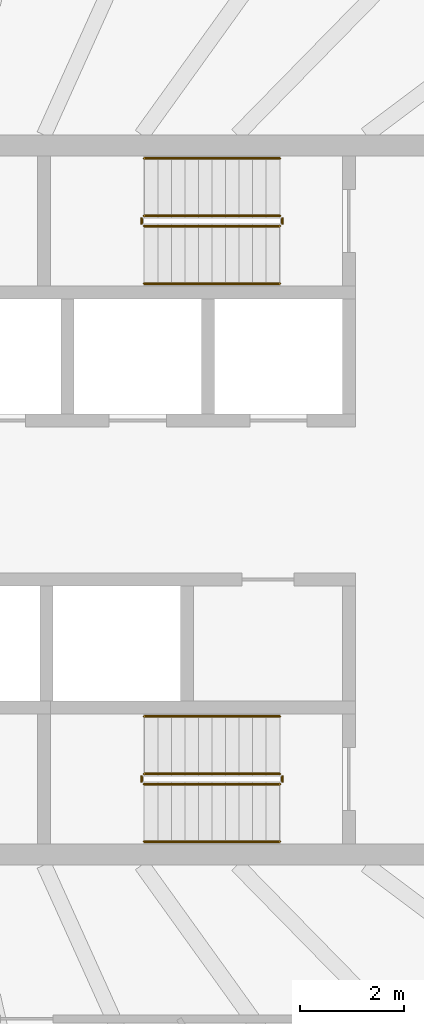
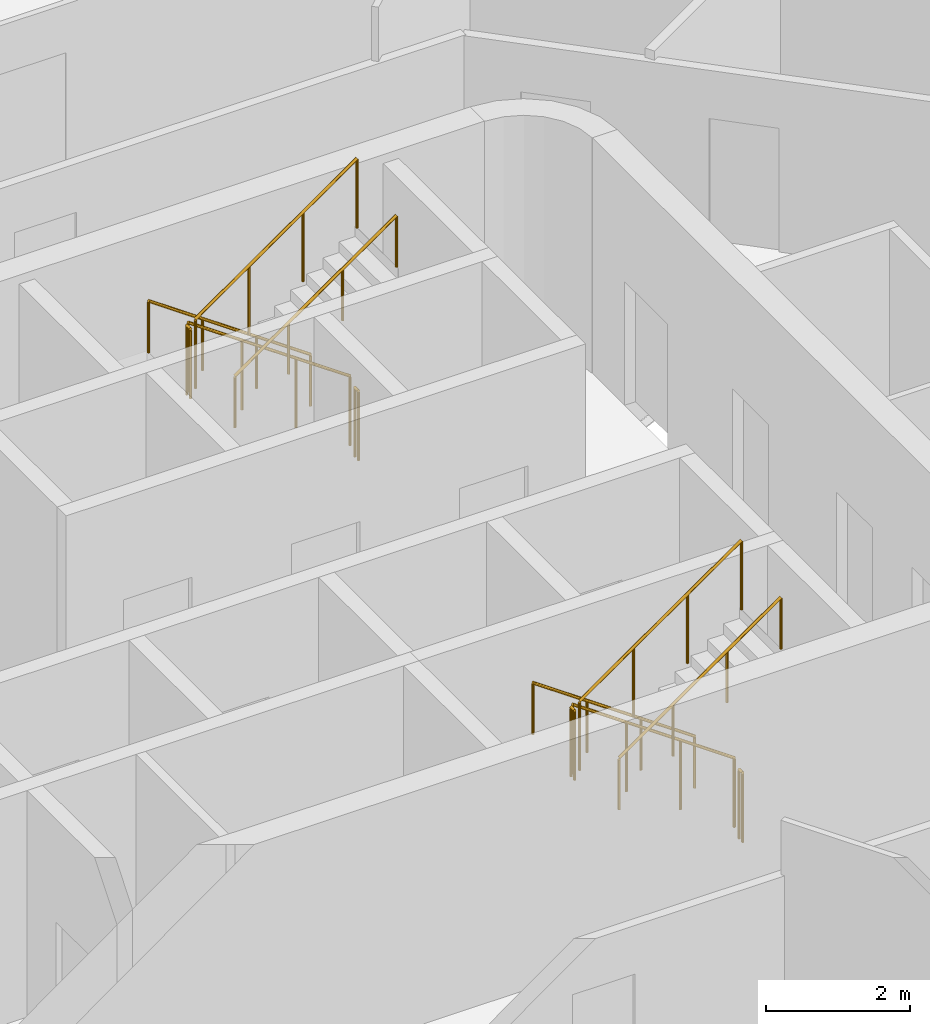
# One storey, part 19 of 21: 12 railings.
"""IFC4 building model written with IfcOpenShell, lengths in metres."""

from ifc_helpers import new_model, si_unit, direction, frame, origin, origin_2d, place, context, subcontext, project, spatial, circle, extrude, material, type_object, element, save


model = new_model("IFC4")

# Units and contexts
model_context = context("Model", 3, precision=1e-05, world=origin(), true_north=direction((0.0, 1.0)))
body_context = subcontext(model_context, "Body", "Model", "MODEL_VIEW")
ifc_project = project(units=[si_unit("LENGTHUNIT", "METRE"), si_unit("AREAUNIT", "SQUARE_METRE"), si_unit("VOLUMEUNIT", "CUBIC_METRE"), si_unit("PLANEANGLEUNIT", "RADIAN"), si_unit("MASSUNIT", "GRAM", prefix="KILO")], contexts=[model_context])

# Site, building, storey
site_placement = place(None, origin())
site = spatial("IfcSite", under=ifc_project, at=site_placement, CompositionType="ELEMENT")
building_placement = place(site_placement, origin())
building = spatial("IfcBuilding", under=site, at=building_placement, Name="Sahrelin Media Tower", CompositionType="ELEMENT")
storey_placement = place(building_placement, frame((0.0, 0.0, 259.0)))
storey = spatial("IfcBuildingStorey", under=building, at=storey_placement, Name="L56", CompositionType="ELEMENT", Elevation=259.0)

# Railings
ifc_material = material(Name="Steel S355", Category="steel")
railing_type_1 = type_object("IfcRailingType", Name="Stair guard 1200", PredefinedType="GUARDRAIL", material=ifc_material)
railing_1_placement = place(storey_placement, frame((7.675048828125, 5.449951171875, 0.181884765625)))
element("IfcRailing", 1, at=railing_1_placement, inside=storey, type_object=railing_type_1, Name="L56 ST3 stair guard 1", PredefinedType="GUARDRAIL", context=body_context, shape_type="SweptSolid", body=[
    extrude(circle(Radius=0.02392578125, at=origin_2d()), frame((0.0, 0.0, 1.17578125), z_axis=(-0.819521025635, 0.0, 0.573049115296), x_axis=(0.0, -1.0, 0.0)), (0.0, 0.0, 1.0), 3.172607421875),
    extrude(circle(Radius=0.02099609375, at=origin_2d()), origin(), (0.0, 0.0, 1.0), 1.15185546875),
    extrude(circle(Radius=0.02099609375, at=origin_2d()), frame((-0.86669921875, 0.0, 0.60595703125)), (0.0, 0.0, 1.0), 1.15185546875),
    extrude(circle(Radius=0.02099609375, at=origin_2d()), frame((-1.7333984375, 0.0, 1.212158203125)), (0.0, 0.0, 1.0), 1.15185546875),
    extrude(circle(Radius=0.02099609375, at=origin_2d()), frame((-2.60009765625, 0.0, 1.818115234375)), (0.0, 0.0, 1.0), 1.15185546875),
])
railing_2_placement = place(storey_placement, frame((5.02490234375, 5.39990234375, 2.0)))
element("IfcRailing", 2, at=railing_2_placement, inside=storey, type_object=railing_type_1, Name="L56 ST3 stair guard 2", PredefinedType="GUARDRAIL", context=body_context, shape_type="SweptSolid", body=[
    extrude(circle(Radius=0.02392578125, at=origin_2d()), frame((0.0, 0.0, 1.17578125), z_axis=(0.0, -1.0, 0.0), x_axis=(1.0, 0.0, 0.0)), (0.0, 0.0, 1.0), 0.099853515625),
    extrude(circle(Radius=0.02099609375, at=origin_2d()), origin(), (0.0, 0.0, 1.0), 1.15185546875),
    extrude(circle(Radius=0.02099609375, at=origin_2d()), frame((0.0, -0.099853515625, 0.0)), (0.0, 0.0, 1.0), 1.15185546875),
])
railing_3_placement = place(storey_placement, frame((5.074951171875, 5.25, 2.181884765625)))
element("IfcRailing", 3, at=railing_3_placement, inside=storey, type_object=railing_type_1, Name="L56 ST3 stair guard 3", PredefinedType="GUARDRAIL", context=body_context, shape_type="SweptSolid", body=[
    extrude(circle(Radius=0.02392578125, at=origin_2d()), frame((0.0, 0.0, 1.17578125), z_axis=(0.819521025635, 0.0, 0.573049115296), x_axis=(0.0, 1.0, 0.0)), (0.0, 0.0, 1.0), 3.172607421875),
    extrude(circle(Radius=0.02099609375, at=origin_2d()), origin(), (0.0, 0.0, 1.0), 1.15185546875),
    extrude(circle(Radius=0.02099609375, at=origin_2d()), frame((0.86669921875, 0.0, 0.60595703125)), (0.0, 0.0, 1.0), 1.15185546875),
    extrude(circle(Radius=0.02099609375, at=origin_2d()), frame((1.7333984375, 0.0, 1.212158203125)), (0.0, 0.0, 1.0), 1.15185546875),
    extrude(circle(Radius=0.02099609375, at=origin_2d()), frame((2.60009765625, 0.0, 1.818115234375)), (0.0, 0.0, 1.0), 1.15185546875),
])
railing_4_placement = place(storey_placement, frame((7.72509765625, 5.39990234375, 0.0)))
element("IfcRailing", 4, at=railing_4_placement, inside=storey, type_object=railing_type_1, Name="L56 ST3 stair guard 4", PredefinedType="GUARDRAIL", context=body_context, shape_type="SweptSolid", body=[
    extrude(circle(Radius=0.02392578125, at=origin_2d()), frame((0.0, 0.0, 1.17578125), z_axis=(0.0, -1.0, 0.0), x_axis=(1.0, 0.0, 0.0)), (0.0, 0.0, 1.0), 0.099853515625),
    extrude(circle(Radius=0.02099609375, at=origin_2d()), origin(), (0.0, 0.0, 1.0), 1.15185546875),
    extrude(circle(Radius=0.02099609375, at=origin_2d()), frame((0.0, -0.099853515625, 0.0)), (0.0, 0.0, 1.0), 1.15185546875),
])
railing_5_placement = place(storey_placement, frame((7.675048828125, -5.25, 0.181884765625)))
element("IfcRailing", 5, at=railing_5_placement, inside=storey, type_object=railing_type_1, Name="L56 ST2 stair guard 1", PredefinedType="GUARDRAIL", context=body_context, shape_type="SweptSolid", body=[
    extrude(circle(Radius=0.02392578125, at=origin_2d()), frame((0.0, 0.0, 1.17578125), z_axis=(-0.819521025635, 0.0, 0.573049115296), x_axis=(0.0, -1.0, 0.0)), (0.0, 0.0, 1.0), 3.172607421875),
    extrude(circle(Radius=0.02099609375, at=origin_2d()), origin(), (0.0, 0.0, 1.0), 1.15185546875),
    extrude(circle(Radius=0.02099609375, at=origin_2d()), frame((-0.86669921875, 0.0, 0.60595703125)), (0.0, 0.0, 1.0), 1.15185546875),
    extrude(circle(Radius=0.02099609375, at=origin_2d()), frame((-1.7333984375, 0.0, 1.212158203125)), (0.0, 0.0, 1.0), 1.15185546875),
    extrude(circle(Radius=0.02099609375, at=origin_2d()), frame((-2.60009765625, 0.0, 1.818115234375)), (0.0, 0.0, 1.0), 1.15185546875),
])
railing_6_placement = place(storey_placement, frame((5.02490234375, -5.300048828125, 2.0)))
element("IfcRailing", 6, at=railing_6_placement, inside=storey, type_object=railing_type_1, Name="L56 ST2 stair guard 2", PredefinedType="GUARDRAIL", context=body_context, shape_type="SweptSolid", body=[
    extrude(circle(Radius=0.02392578125, at=origin_2d()), frame((0.0, 0.0, 1.17578125), z_axis=(0.0, -1.0, 0.0), x_axis=(1.0, 0.0, 0.0)), (0.0, 0.0, 1.0), 0.099853515625),
    extrude(circle(Radius=0.02099609375, at=origin_2d()), origin(), (0.0, 0.0, 1.0), 1.15185546875),
    extrude(circle(Radius=0.02099609375, at=origin_2d()), frame((0.0, -0.099853515625, 0.0)), (0.0, 0.0, 1.0), 1.15185546875),
])
railing_7_placement = place(storey_placement, frame((5.074951171875, -5.449951171875, 2.181884765625)))
element("IfcRailing", 7, at=railing_7_placement, inside=storey, type_object=railing_type_1, Name="L56 ST2 stair guard 3", PredefinedType="GUARDRAIL", context=body_context, shape_type="SweptSolid", body=[
    extrude(circle(Radius=0.02392578125, at=origin_2d()), frame((0.0, 0.0, 1.17578125), z_axis=(0.819521025635, 0.0, 0.573049115296), x_axis=(0.0, 1.0, 0.0)), (0.0, 0.0, 1.0), 3.172607421875),
    extrude(circle(Radius=0.02099609375, at=origin_2d()), origin(), (0.0, 0.0, 1.0), 1.15185546875),
    extrude(circle(Radius=0.02099609375, at=origin_2d()), frame((0.86669921875, 0.0, 0.60595703125)), (0.0, 0.0, 1.0), 1.15185546875),
    extrude(circle(Radius=0.02099609375, at=origin_2d()), frame((1.7333984375, 0.0, 1.212158203125)), (0.0, 0.0, 1.0), 1.15185546875),
    extrude(circle(Radius=0.02099609375, at=origin_2d()), frame((2.60009765625, 0.0, 1.818115234375)), (0.0, 0.0, 1.0), 1.15185546875),
])
railing_8_placement = place(storey_placement, frame((7.72509765625, -5.300048828125, 0.0)))
element("IfcRailing", 8, at=railing_8_placement, inside=storey, type_object=railing_type_1, Name="L56 ST2 stair guard 4", PredefinedType="GUARDRAIL", context=body_context, shape_type="SweptSolid", body=[
    extrude(circle(Radius=0.02392578125, at=origin_2d()), frame((0.0, 0.0, 1.17578125), z_axis=(0.0, -1.0, 0.0), x_axis=(1.0, 0.0, 0.0)), (0.0, 0.0, 1.0), 0.099853515625),
    extrude(circle(Radius=0.02099609375, at=origin_2d()), origin(), (0.0, 0.0, 1.0), 1.15185546875),
    extrude(circle(Radius=0.02099609375, at=origin_2d()), frame((0.0, -0.099853515625, 0.0)), (0.0, 0.0, 1.0), 1.15185546875),
])
railing_type_2 = type_object("IfcRailingType", Name="Stair handrail 900", PredefinedType="HANDRAIL", material=ifc_material)
railing_9_placement = place(storey_placement, frame((7.675048828125, 6.550048828125, 0.181884765625)))
element("IfcRailing", 9, at=railing_9_placement, inside=storey, type_object=railing_type_2, Name="L56 ST3 stair handrail 1", PredefinedType="HANDRAIL", context=body_context, shape_type="SweptSolid", body=[
    extrude(circle(Radius=0.02392578125, at=origin_2d()), frame((0.0, 0.0, 0.8759765625), z_axis=(-0.819521025635, 0.0, 0.573049115296), x_axis=(0.0, -1.0, 0.0)), (0.0, 0.0, 1.0), 3.172607421875),
    extrude(circle(Radius=0.02099609375, at=origin_2d()), origin(), (0.0, 0.0, 1.0), 0.851806640625),
    extrude(circle(Radius=0.02099609375, at=origin_2d()), frame((-0.86669921875, 0.0, 0.60595703125)), (0.0, 0.0, 1.0), 0.851806640625),
    extrude(circle(Radius=0.02099609375, at=origin_2d()), frame((-1.7333984375, 0.0, 1.212158203125)), (0.0, 0.0, 1.0), 0.851806640625),
    extrude(circle(Radius=0.02099609375, at=origin_2d()), frame((-2.60009765625, 0.0, 1.818115234375)), (0.0, 0.0, 1.0), 0.851806640625),
])
railing_10_placement = place(storey_placement, frame((5.074951171875, 4.14990234375, 2.181884765625)))
element("IfcRailing", 10, at=railing_10_placement, inside=storey, type_object=railing_type_2, Name="L56 ST3 stair handrail 2", PredefinedType="HANDRAIL", context=body_context, shape_type="SweptSolid", body=[
    extrude(circle(Radius=0.02392578125, at=origin_2d()), frame((0.0, 0.0, 0.8759765625), z_axis=(0.819521025635, 0.0, 0.573049115296), x_axis=(0.0, 1.0, 0.0)), (0.0, 0.0, 1.0), 3.172607421875),
    extrude(circle(Radius=0.02099609375, at=origin_2d()), origin(), (0.0, 0.0, 1.0), 0.851806640625),
    extrude(circle(Radius=0.02099609375, at=origin_2d()), frame((0.86669921875, 0.0, 0.60595703125)), (0.0, 0.0, 1.0), 0.851806640625),
    extrude(circle(Radius=0.02099609375, at=origin_2d()), frame((1.7333984375, 0.0, 1.212158203125)), (0.0, 0.0, 1.0), 0.851806640625),
    extrude(circle(Radius=0.02099609375, at=origin_2d()), frame((2.60009765625, 0.0, 1.818115234375)), (0.0, 0.0, 1.0), 0.851806640625),
])
railing_11_placement = place(storey_placement, frame((7.675048828125, -4.14990234375, 0.181884765625)))
element("IfcRailing", 11, at=railing_11_placement, inside=storey, type_object=railing_type_2, Name="L56 ST2 stair handrail 1", PredefinedType="HANDRAIL", context=body_context, shape_type="SweptSolid", body=[
    extrude(circle(Radius=0.02392578125, at=origin_2d()), frame((0.0, 0.0, 0.8759765625), z_axis=(-0.819521025635, 0.0, 0.573049115296), x_axis=(0.0, -1.0, 0.0)), (0.0, 0.0, 1.0), 3.172607421875),
    extrude(circle(Radius=0.02099609375, at=origin_2d()), origin(), (0.0, 0.0, 1.0), 0.851806640625),
    extrude(circle(Radius=0.02099609375, at=origin_2d()), frame((-0.86669921875, 0.0, 0.60595703125)), (0.0, 0.0, 1.0), 0.851806640625),
    extrude(circle(Radius=0.02099609375, at=origin_2d()), frame((-1.7333984375, 0.0, 1.212158203125)), (0.0, 0.0, 1.0), 0.851806640625),
    extrude(circle(Radius=0.02099609375, at=origin_2d()), frame((-2.60009765625, 0.0, 1.818115234375)), (0.0, 0.0, 1.0), 0.851806640625),
])
railing_12_placement = place(storey_placement, frame((5.074951171875, -6.550048828125, 2.181884765625)))
element("IfcRailing", 12, at=railing_12_placement, inside=storey, type_object=railing_type_2, Name="L56 ST2 stair handrail 2", PredefinedType="HANDRAIL", context=body_context, shape_type="SweptSolid", body=[
    extrude(circle(Radius=0.02392578125, at=origin_2d()), frame((0.0, 0.0, 0.8759765625), z_axis=(0.819521025635, 0.0, 0.573049115296), x_axis=(0.0, 1.0, 0.0)), (0.0, 0.0, 1.0), 3.172607421875),
    extrude(circle(Radius=0.02099609375, at=origin_2d()), origin(), (0.0, 0.0, 1.0), 0.851806640625),
    extrude(circle(Radius=0.02099609375, at=origin_2d()), frame((0.86669921875, 0.0, 0.60595703125)), (0.0, 0.0, 1.0), 0.851806640625),
    extrude(circle(Radius=0.02099609375, at=origin_2d()), frame((1.7333984375, 0.0, 1.212158203125)), (0.0, 0.0, 1.0), 0.851806640625),
    extrude(circle(Radius=0.02099609375, at=origin_2d()), frame((2.60009765625, 0.0, 1.818115234375)), (0.0, 0.0, 1.0), 0.851806640625),
])

save(model, "model.ifc")
